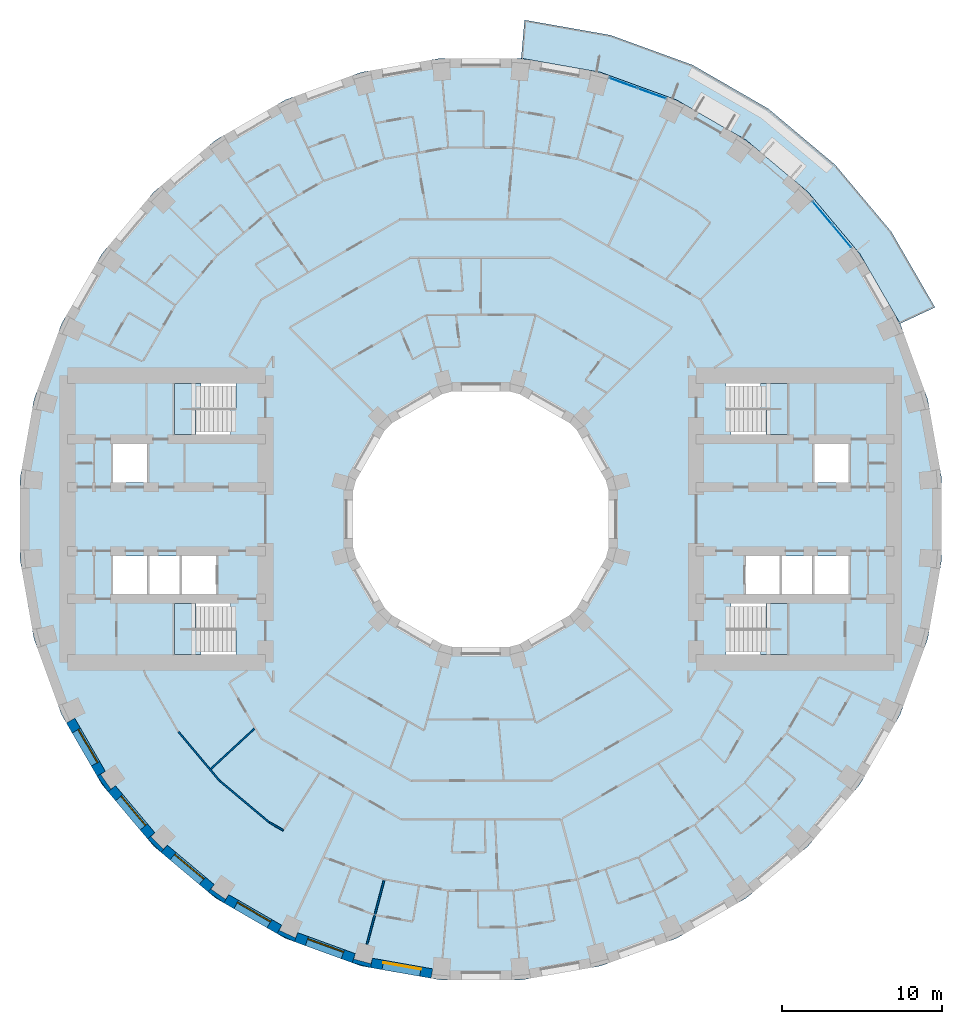
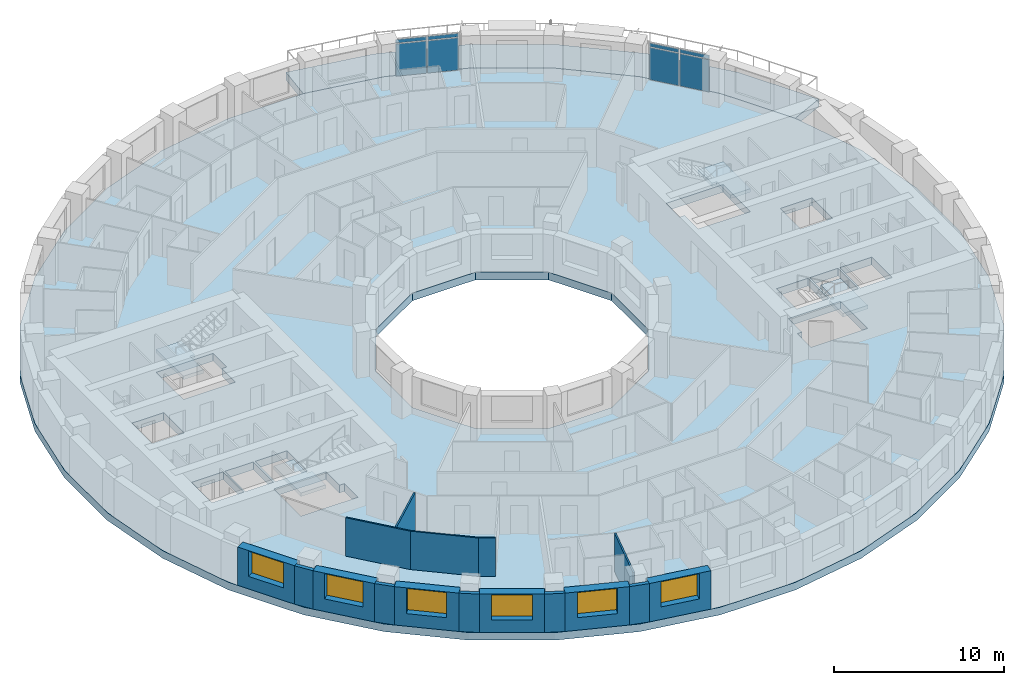
# One storey, part 3 of 15: 16 walls, 8 plates, 6 slabs, 6 windows, 6 openings, 6 elements without a shape of their own.
"""IFC4 building model written with IfcOpenShell, lengths in metres."""

from ifc_helpers import new_model, si_unit, direction, frame, frame_2d, origin, origin_2d, place, context, subcontext, project, spatial, polyline, rectangle, outline, extrude, material, layer, layer_set, type_object, element, fill, aggregate, save


model = new_model("IFC4")

# Units and contexts
model_context = context("Model", 3, precision=1e-05, world=origin(), true_north=direction((0.0, 1.0)))
body_context = subcontext(model_context, "Body", "Model", "MODEL_VIEW")
ifc_project = project(units=[si_unit("LENGTHUNIT", "METRE"), si_unit("AREAUNIT", "SQUARE_METRE"), si_unit("VOLUMEUNIT", "CUBIC_METRE"), si_unit("PLANEANGLEUNIT", "RADIAN"), si_unit("MASSUNIT", "GRAM", prefix="KILO")], contexts=[model_context])

# Site, building, storey
site_placement = place(None, origin())
site = spatial("IfcSite", under=ifc_project, at=site_placement, CompositionType="ELEMENT")
building_placement = place(site_placement, origin())
building = spatial("IfcBuilding", under=site, at=building_placement, Name="Saqina Gate Tower", CompositionType="ELEMENT")
storey_placement = place(building_placement, frame((0.0, 0.0, 65.89990234375)))
storey = spatial("IfcBuildingStorey", under=building, at=storey_placement, Name="L18", CompositionType="ELEMENT", Elevation=65.89990234375)

# Curtain wall, plates
ifc_material_1 = material(Name="Aluminium glazing", Category="aluminium")
ifc_layer_1 = layer(ifc_material_1, 0.159912109375)
ifc_layer_set_1 = layer_set([ifc_layer_1], Name="CWT-4")
curtain_wall_type = type_object("IfcCurtainWallType", Name="CWT-4", PredefinedType="NOTDEFINED", material=ifc_layer_set_1)
curtain_wall_1_placement = place(storey_placement, origin())
curtain_wall_1 = element("IfcCurtainWall", 1, at=curtain_wall_1_placement, inside=storey, type_object=curtain_wall_type, Name="Terrace lounge glazing facet 4", PredefinedType="NOTDEFINED")
ifc_material_2 = material(Name="Glass", Category="glass")
ifc_layer_2 = layer(ifc_material_2, 0.028076171875)
ifc_layer_set_2 = layer_set([ifc_layer_2], Name="CWT-4P")
plate_type = type_object("IfcPlateType", Name="CWT-4P", PredefinedType="CURTAIN_PANEL", material=ifc_layer_set_2)
plate_1_placement = place(storey_placement, frame((22.624267578125, 17.74853515625, 0.06005859375), z_axis=(0.0, 0.0, 1.0), x_axis=(-0.642791970033, 0.766040784332, 0.0)))
plate_1 = element("IfcPlate", 2, at=plate_1_placement, type_object=plate_type, Name="CW4-04 panel 1.1", PredefinedType="CURTAIN_PANEL", context=body_context, shape_type="SweptSolid", body=[
    extrude(rectangle(XDim=1.8330078125, YDim=0.028076171875, at=origin_2d()), origin(), (0.0, 0.0, 1.0), 2.31005859375),
])
plate_2_placement = place(storey_placement, frame((22.624267578125, 17.74853515625, 2.43017578125), z_axis=(0.0, 0.0, 1.0), x_axis=(-0.642791970033, 0.766040784332, 0.0)))
plate_2 = element("IfcPlate", 3, at=plate_2_placement, type_object=plate_type, Name="CW4-04 panel 1.2", PredefinedType="CURTAIN_PANEL", context=body_context, shape_type="SweptSolid", body=[
    extrude(rectangle(XDim=1.8330078125, YDim=0.028076171875, at=origin_2d()), origin(), (0.0, 0.0, 1.0), 0.260009765625),
])
plate_3_placement = place(storey_placement, frame((21.407470703125, 19.198486328125, 0.06005859375), z_axis=(0.0, 0.0, 1.0), x_axis=(-0.642791970033, 0.766040784332, 0.0)))
plate_3 = element("IfcPlate", 4, at=plate_3_placement, type_object=plate_type, Name="CW4-04 panel 2.1", PredefinedType="CURTAIN_PANEL", context=body_context, shape_type="SweptSolid", body=[
    extrude(rectangle(XDim=1.8330078125, YDim=0.028076171875, at=origin_2d()), origin(), (0.0, 0.0, 1.0), 2.31005859375),
])
plate_4_placement = place(storey_placement, frame((21.407470703125, 19.198486328125, 2.43017578125), z_axis=(0.0, 0.0, 1.0), x_axis=(-0.642791970033, 0.766040784332, 0.0)))
plate_4 = element("IfcPlate", 5, at=plate_4_placement, type_object=plate_type, Name="CW4-04 panel 2.2", PredefinedType="CURTAIN_PANEL", context=body_context, shape_type="SweptSolid", body=[
    extrude(rectangle(XDim=1.8330078125, YDim=0.028076171875, at=origin_2d()), origin(), (0.0, 0.0, 1.0), 0.260009765625),
])
aggregate(curtain_wall_1, [plate_1, plate_2, plate_3, plate_4])

curtain_wall_2_placement = place(storey_placement, origin())
curtain_wall_2 = element("IfcCurtainWall", 6, at=curtain_wall_2_placement, inside=storey, type_object=curtain_wall_type, Name="Terrace lounge glazing facet 7", PredefinedType="NOTDEFINED")
plate_5_placement = place(storey_placement, frame((10.718994140625, 26.682861328125, 0.06005859375), z_axis=(0.0, 0.0, 1.0), x_axis=(-0.939696968811, 0.34200819699, 0.0)))
plate_5 = element("IfcPlate", 7, at=plate_5_placement, type_object=plate_type, Name="CW4-07 panel 1.1", PredefinedType="CURTAIN_PANEL", context=body_context, shape_type="SweptSolid", body=[
    extrude(rectangle(XDim=1.8330078125, YDim=0.028076171875, at=origin_2d()), origin(), (0.0, 0.0, 1.0), 2.31005859375),
])
plate_6_placement = place(storey_placement, frame((10.718994140625, 26.682861328125, 2.43017578125), z_axis=(0.0, 0.0, 1.0), x_axis=(-0.939696968811, 0.34200819699, 0.0)))
plate_6 = element("IfcPlate", 8, at=plate_6_placement, type_object=plate_type, Name="CW4-07 panel 1.2", PredefinedType="CURTAIN_PANEL", context=body_context, shape_type="SweptSolid", body=[
    extrude(rectangle(XDim=1.8330078125, YDim=0.028076171875, at=origin_2d()), origin(), (0.0, 0.0, 1.0), 0.260009765625),
])
plate_7_placement = place(storey_placement, frame((8.940185546875, 27.330078125, 0.06005859375), z_axis=(0.0, 0.0, 1.0), x_axis=(-0.939696968811, 0.34200819699, 0.0)))
plate_7 = element("IfcPlate", 9, at=plate_7_placement, type_object=plate_type, Name="CW4-07 panel 2.1", PredefinedType="CURTAIN_PANEL", context=body_context, shape_type="SweptSolid", body=[
    extrude(rectangle(XDim=1.8330078125, YDim=0.028076171875, at=origin_2d()), origin(), (0.0, 0.0, 1.0), 2.31005859375),
])
plate_8_placement = place(storey_placement, frame((8.940185546875, 27.330078125, 2.43017578125), z_axis=(0.0, 0.0, 1.0), x_axis=(-0.939696968811, 0.34200819699, 0.0)))
plate_8 = element("IfcPlate", 10, at=plate_8_placement, type_object=plate_type, Name="CW4-07 panel 2.2", PredefinedType="CURTAIN_PANEL", context=body_context, shape_type="SweptSolid", body=[
    extrude(rectangle(XDim=1.8330078125, YDim=0.028076171875, at=origin_2d()), origin(), (0.0, 0.0, 1.0), 0.260009765625),
])
aggregate(curtain_wall_2, [plate_5, plate_6, plate_7, plate_8])

# Stair, slab
ifc_material_3 = material(Name="Concrete C40/50", Category="concrete")
stair_type = type_object("IfcStairType", Name="EXIT STAIR", PredefinedType="HALF_TURN_STAIR", material=ifc_material_3)
stair_1_placement = place(storey_placement, origin())
stair_1 = element("IfcStair", 11, at=stair_1_placement, inside=storey, type_object=stair_type, Name="EXIT STAIR 1", PredefinedType="HALF_TURN_STAIR")
ifc_material_4 = material(Name="Concrete C40/50", Category="concrete")
ifc_layer_3 = layer(ifc_material_4, 0.25)
ifc_layer_set_3 = layer_set([ifc_layer_3], Name="Concrete C40/50")
slab_type_1 = type_object("IfcSlabType", Name="EXIT STAIR LANDING", PredefinedType="LANDING", material=ifc_layer_set_3)
slab_1_placement = place(storey_placement, frame((0.0, 0.0, 1.400146484375)))
slab_1 = element("IfcSlab", 12, at=slab_1_placement, type_object=slab_type_1, Name="EXIT STAIR 1 LANDING 1", PredefinedType="LANDING", context=body_context, shape_type="SweptSolid", body=[
    extrude(outline(polyline([(19.219970703125, 8.5), (19.219970703125, 5.300048828125), (17.864990234375, 5.300048828125), (17.864990234375, 6.89990234375), (17.534423828125, 6.89990234375), (17.534423828125, 8.5), (17.864990234375, 8.5), (17.8701171875, 8.5), (19.219970703125, 8.5)])), origin(), (0.0, 0.0, 1.0), 0.25),
])
aggregate(stair_1, [slab_1])

stair_2_placement = place(storey_placement, origin())
stair_2 = element("IfcStair", 13, at=stair_2_placement, inside=storey, type_object=stair_type, Name="EXIT STAIR 2", PredefinedType="HALF_TURN_STAIR")
slab_2_placement = place(storey_placement, frame((0.0, 0.0, 1.400146484375)))
slab_2 = element("IfcSlab", 14, at=slab_2_placement, type_object=slab_type_1, Name="EXIT STAIR 2 LANDING 1", PredefinedType="LANDING", context=body_context, shape_type="SweptSolid", body=[
    extrude(outline(polyline([(17.534423828125, -8.5), (17.534423828125, -6.89990234375), (17.864990234375, -6.89990234375), (17.864990234375, -5.300048828125), (19.219970703125, -5.300048828125), (19.219970703125, -8.5), (17.8701171875, -8.5), (17.864990234375, -8.5), (17.534423828125, -8.5)])), origin(), (0.0, 0.0, 1.0), 0.25),
])
aggregate(stair_2, [slab_2])

stair_3_placement = place(storey_placement, origin())
stair_3 = element("IfcStair", 15, at=stair_3_placement, inside=storey, type_object=stair_type, Name="EXIT STAIR 3", PredefinedType="HALF_TURN_STAIR")
slab_3_placement = place(storey_placement, frame((0.0, 0.0, 1.400146484375)))
slab_3 = element("IfcSlab", 16, at=slab_3_placement, type_object=slab_type_1, Name="EXIT STAIR 3 LANDING 1", PredefinedType="LANDING", context=body_context, shape_type="SweptSolid", body=[
    extrude(outline(polyline([(-17.864990234375, 5.300048828125), (-19.219970703125, 5.300048828125), (-19.219970703125, 8.5), (-17.8701171875, 8.5), (-17.864990234375, 8.5), (-17.534423828125, 8.5), (-17.534423828125, 6.89990234375), (-17.864990234375, 6.89990234375), (-17.864990234375, 5.300048828125)])), origin(), (0.0, 0.0, 1.0), 0.25),
])
aggregate(stair_3, [slab_3])

stair_4_placement = place(storey_placement, origin())
stair_4 = element("IfcStair", 17, at=stair_4_placement, inside=storey, type_object=stair_type, Name="EXIT STAIR 4", PredefinedType="HALF_TURN_STAIR")
slab_4_placement = place(storey_placement, frame((0.0, 0.0, 1.400146484375)))
slab_4 = element("IfcSlab", 18, at=slab_4_placement, type_object=slab_type_1, Name="EXIT STAIR 4 LANDING 1", PredefinedType="LANDING", context=body_context, shape_type="SweptSolid", body=[
    extrude(outline(polyline([(-17.534423828125, -6.89990234375), (-17.534423828125, -8.5), (-17.864990234375, -8.5), (-17.8701171875, -8.5), (-19.219970703125, -8.5), (-19.219970703125, -5.300048828125), (-17.864990234375, -5.300048828125), (-17.864990234375, -6.89990234375), (-17.534423828125, -6.89990234375)])), origin(), (0.0, 0.0, 1.0), 0.25),
])
aggregate(stair_4, [slab_4])

# Slabs
ifc_material_5 = material(Name="Concrete C40/50", Category="concrete")
ifc_layer_4 = layer(ifc_material_5, 0.550048828125)
ifc_layer_set_4 = layer_set([ifc_layer_4], Name="Concrete C40/50")
slab_type_2 = type_object("IfcSlabType", Name="STR-POST-TENSIONED FLAT PLATE FLOOR-550", PredefinedType="FLOOR", material=ifc_layer_set_4)
slab_5_placement = place(storey_placement, frame((0.0, 0.0, -0.5498046875)))
element("IfcSlab", 19, at=slab_5_placement, inside=storey, type_object=slab_type_2, Name="L18-SLB01", PredefinedType="FLOOR", context=body_context, shape_type="SweptSolid", body=[
    extrude(outline(polyline([(28.011962890625, -7.505859375), (28.8896484375, -2.527587890625), (28.8896484375, 2.527587890625), (28.011962890625, 7.505859375), (26.282958984375, 12.255859375), (23.75537109375, 16.6337890625), (20.506103515625, 20.506103515625), (16.6337890625, 23.75537109375), (12.255859375, 26.282958984375), (7.505859375, 28.011962890625), (2.527587890625, 28.8896484375), (-2.527587890625, 28.8896484375), (-7.505859375, 28.011962890625), (-12.255859375, 26.282958984375), (-16.6337890625, 23.75537109375), (-20.506103515625, 20.506103515625), (-23.75537109375, 16.6337890625), (-26.282958984375, 12.255859375), (-28.011962890625, 7.505859375), (-28.8896484375, 2.527587890625), (-28.8896484375, -2.527587890625), (-28.011962890625, -7.505859375), (-26.282958984375, -12.255859375), (-23.75537109375, -16.6337890625), (-20.506103515625, -20.506103515625), (-16.6337890625, -23.75537109375), (-12.255859375, -26.282958984375), (-7.505859375, -28.011962890625), (-2.527587890625, -28.8896484375), (2.527587890625, -28.8896484375), (7.505859375, -28.011962890625), (12.255859375, -26.282958984375), (16.6337890625, -23.75537109375), (20.506103515625, -20.506103515625), (23.75537109375, -16.6337890625), (26.282958984375, -12.255859375), (28.011962890625, -7.505859375)]), holes=[polyline([(2.1435546875, 8.0), (5.8564453125, 5.8564453125), (8.0, 2.1435546875), (8.0, -2.1435546875), (5.8564453125, -5.8564453125), (2.1435546875, -8.0), (-2.1435546875, -8.0), (-5.8564453125, -5.8564453125), (-8.0, -2.1435546875), (-8.0, 2.1435546875), (-5.8564453125, 5.8564453125), (-2.1435546875, 8.0), (2.1435546875, 8.0)]), polyline([(-19.219970703125, -8.5), (-19.219970703125, -6.89990234375), (-19.219970703125, -5.300048828125), (-15.685546875, -5.300048828125), (-15.685546875, -6.89990234375), (-15.35498046875, -6.89990234375), (-15.35498046875, -8.5), (-19.219970703125, -8.5)]), polyline([(-20.89990234375, -2.300048828125), (-20.89990234375, -4.699951171875), (-23.06005859375, -4.699951171875), (-23.06005859375, -2.300048828125), (-20.89990234375, -2.300048828125)]), polyline([(-18.8701171875, -2.300048828125), (-18.8701171875, -4.699951171875), (-20.780029296875, -4.699951171875), (-20.780029296875, -2.300048828125), (-18.8701171875, -2.300048828125)]), polyline([(-16.590087890625, -2.300048828125), (-16.590087890625, -4.699951171875), (-18.75, -4.699951171875), (-18.75, -2.300048828125), (-16.590087890625, -2.300048828125)]), polyline([(-20.89990234375, 4.699951171875), (-20.89990234375, 2.300048828125), (-23.06005859375, 2.300048828125), (-23.06005859375, 4.699951171875), (-20.89990234375, 4.699951171875)]), polyline([(-19.219970703125, 6.89990234375), (-19.219970703125, 8.5), (-15.35498046875, 8.5), (-15.35498046875, 6.89990234375), (-15.685546875, 6.89990234375), (-15.685546875, 5.300048828125), (-19.219970703125, 5.300048828125), (-19.219970703125, 6.89990234375)]), polyline([(15.35498046875, -6.89990234375), (15.685546875, -6.89990234375), (15.685546875, -5.300048828125), (19.219970703125, -5.300048828125), (19.219970703125, -6.89990234375), (19.219970703125, -8.5), (15.35498046875, -8.5), (15.35498046875, -6.89990234375)]), polyline([(18.75, -2.300048828125), (18.75, -4.699951171875), (16.590087890625, -4.699951171875), (16.590087890625, -2.300048828125), (18.75, -2.300048828125)]), polyline([(20.780029296875, -2.300048828125), (20.780029296875, -4.699951171875), (18.8701171875, -4.699951171875), (18.8701171875, -2.300048828125), (20.780029296875, -2.300048828125)]), polyline([(23.06005859375, -2.300048828125), (23.06005859375, -4.699951171875), (20.89990234375, -4.699951171875), (20.89990234375, -2.300048828125), (23.06005859375, -2.300048828125)]), polyline([(23.06005859375, 4.699951171875), (23.06005859375, 2.300048828125), (20.89990234375, 2.300048828125), (20.89990234375, 4.699951171875), (23.06005859375, 4.699951171875)]), polyline([(15.685546875, 6.89990234375), (15.35498046875, 6.89990234375), (15.35498046875, 8.5), (19.219970703125, 8.5), (19.219970703125, 6.89990234375), (19.219970703125, 5.300048828125), (15.685546875, 5.300048828125), (15.685546875, 6.89990234375)])]), origin(), (0.0, 0.0, 1.0), 0.5498046875),
])
ifc_material_6 = material(Name="Concrete C40/50", Category="concrete")
ifc_layer_5 = layer(ifc_material_6, 0.550048828125)
ifc_layer_set_5 = layer_set([ifc_layer_5], Name="Concrete C40/50")
slab_type_3 = type_object("IfcSlabType", Name="STR-POST-TENSIONED FLAT PLATE TERRACE-550", PredefinedType="FLOOR", material=ifc_layer_set_5)
slab_6_placement = place(storey_placement, frame((0.0, 0.0, -0.5498046875)))
element("IfcSlab", 20, at=slab_6_placement, inside=storey, type_object=slab_type_3, Name="L18-TRS01", PredefinedType="FLOOR", context=body_context, shape_type="SweptSolid", body=[
    extrude(outline(polyline([(26.282958984375, 12.255859375), (23.75537109375, 16.6337890625), (20.506103515625, 20.506103515625), (16.6337890625, 23.75537109375), (12.255859375, 26.282958984375), (7.505859375, 28.011962890625), (2.527587890625, 28.8896484375), (2.737548828125, 31.28955078125), (8.12939453125, 30.3388671875), (13.274169921875, 28.46630859375), (18.015625, 25.72900390625), (22.209716796875, 22.209716796875), (25.72900390625, 18.015625), (28.46630859375, 13.274169921875), (26.282958984375, 12.255859375)])), origin(), (0.0, 0.0, 1.0), 0.5498046875),
])

# Walls
ifc_material_7 = material(Name="Brick masonry (red)", Category="masonry")
wall_type_1 = type_object("IfcWallType", Name="BRICK PIER COPING RED", PredefinedType="SOLIDWALL", material=ifc_material_7)
wall_1_placement = place(storey_placement, origin())
element("IfcWall", 21, at=wall_1_placement, inside=storey, type_object=wall_type_1, Name="Pier cap L18 column 22", PredefinedType="SOLIDWALL", context=body_context, shape_type="SweptSolid", body=[
    extrude(outline(polyline([(-24.0576171875, -16.110107421875), (-23.36669921875, -17.096923828125), (-22.9072265625, -16.711181640625), (-23.194091796875, -16.912109375), (-23.8251953125, -16.010986328125), (-23.5380859375, -15.81005859375), (-24.0576171875, -16.110107421875)])), origin(), (0.0, 0.0, 1.0), 2.75),
])
wall_2_placement = place(storey_placement, origin())
element("IfcWall", 22, at=wall_2_placement, inside=storey, type_object=wall_type_1, Name="Pier cap L18 column 23", PredefinedType="SOLIDWALL", context=body_context, shape_type="SweptSolid", body=[
    extrude(outline(polyline([(-20.04296875, -20.894775390625), (-19.6572265625, -20.43505859375), (-19.905029296875, -20.682861328125), (-20.682861328125, -19.905029296875), (-20.43505859375, -19.6572265625), (-20.894775390625, -20.04296875), (-20.04296875, -20.894775390625)])), origin(), (0.0, 0.0, 1.0), 2.75),
])
wall_3_placement = place(storey_placement, origin())
element("IfcWall", 23, at=wall_3_placement, inside=storey, type_object=wall_type_1, Name="Pier cap L18 column 24", PredefinedType="SOLIDWALL", context=body_context, shape_type="SweptSolid", body=[
    extrude(outline(polyline([(-17.096923828125, -23.36669921875), (-16.110107421875, -24.0576171875), (-15.81005859375, -23.5380859375), (-16.010986328125, -23.8251953125), (-16.912109375, -23.194091796875), (-16.711181640625, -22.9072265625), (-17.096923828125, -23.36669921875)])), origin(), (0.0, 0.0, 1.0), 2.75),
])
wall_4_placement = place(storey_placement, origin())
element("IfcWall", 24, at=wall_4_placement, inside=storey, type_object=wall_type_1, Name="Pier cap L18 column 25", PredefinedType="SOLIDWALL", context=body_context, shape_type="SweptSolid", body=[
    extrude(outline(polyline([(-11.687744140625, -26.48974609375), (-11.482666015625, -25.92578125), (-11.630615234375, -26.243408203125), (-12.627685546875, -25.778564453125), (-12.4794921875, -25.4609375), (-12.779541015625, -25.980712890625), (-11.687744140625, -26.48974609375)])), origin(), (0.0, 0.0, 1.0), 2.75),
])
wall_5_placement = place(storey_placement, origin())
element("IfcWall", 25, at=wall_5_placement, inside=storey, type_object=wall_type_1, Name="Pier cap L18 column 26", PredefinedType="SOLIDWALL", context=body_context, shape_type="SweptSolid", body=[
    extrude(outline(polyline([(-6.910400390625, -28.11669921875), (-6.80615234375, -27.52587890625), (-6.896728515625, -27.864501953125), (-7.95947265625, -27.57958984375), (-7.86865234375, -27.2412109375), (-8.073974609375, -27.80517578125), (-6.910400390625, -28.11669921875)])), origin(), (0.0, 0.0, 1.0), 2.75),
])

# Wall, opening, window
ifc_material_8 = material(Name="Brick masonry (red)", Category="masonry")
ifc_layer_6 = layer(ifc_material_8, 0.60009765625)
ifc_layer_set_6 = layer_set([ifc_layer_6], Name="FW-BRICK-RED")
wall_type_2 = type_object("IfcWallType", Name="FW-BRICK-RED", PredefinedType="SOLIDWALL", material=ifc_layer_set_6)
wall_6_placement = place(storey_placement, frame((-25.720703125, -12.629638671875, 0.0), z_axis=(0.0, 0.0, 1.0), x_axis=(0.499989888488, -0.86603124159, 0.0)))
wall_6 = element("IfcWall", 26, at=wall_6_placement, inside=storey, type_object=wall_type_2, Name="Facade wall L18 facet 21", PredefinedType="SOLIDWALL", context=body_context, shape_type="SweptSolid", body=[
    extrude(rectangle(XDim=3.845703125, YDim=0.60009765625, at=frame_2d((1.9228515625, 0.0))), origin(), (0.0, 0.0, 1.0), 2.75),
])
opening_1_placement = place(wall_6_placement, frame((0.722900390625, 0.0, 0.89990234375)))
opening_1 = element("IfcOpeningElement", 27, at=opening_1_placement, cuts=wall_6, Name="Opening G05-W10", PredefinedType="OPENING", context=body_context, shape_type="SweptSolid", body=[
    extrude(rectangle(XDim=2.39990234375, YDim=1.800048828125, at=frame_2d((1.199951171875, 0.89990234375))), frame((0.0, 0.31201171875, 0.0), z_axis=(0.0, -1.0, 0.0), x_axis=(1.0, 0.0, 0.0)), (0.0, 0.0, 1.0), 0.6240234375),
])
ifc_material_9 = material(Name="Aluminium glazing", Category="aluminium")
window_type = type_object("IfcWindowType", Name="WN-A", PartitioningType="SINGLE_PANEL", PredefinedType="WINDOW", material=ifc_material_9)
window_1_placement = place(opening_1_placement, origin())
window_1 = element("IfcWindow", 28, at=window_1_placement, inside=storey, type_object=window_type, Name="Window L18 facet 21", OverallHeight=1.800048828125, OverallWidth=2.39990234375, PartitioningType="SINGLE_PANEL", PredefinedType="WINDOW", context=body_context, shape_type="SweptSolid", body=[
    extrude(rectangle(XDim=2.39990234375, YDim=1.800048828125, at=frame_2d((1.199951171875, 0.89990234375))), frame((0.0, 0.179931640625, 0.0), z_axis=(0.0, -1.0, 0.0), x_axis=(1.0, 0.0, 0.0)), (0.0, 0.0, 1.0), 0.06005859375),
])
fill(opening_1, window_1)

wall_7_placement = place(storey_placement, frame((-23.136962890625, -16.904052734375, 0.0), z_axis=(0.0, 0.0, 1.0), x_axis=(0.642809392687, -0.766026164483, 0.0)))
wall_7 = element("IfcWall", 29, at=wall_7_placement, inside=storey, type_object=wall_type_2, Name="Facade wall L18 facet 22", PredefinedType="SOLIDWALL", context=body_context, shape_type="SweptSolid", body=[
    extrude(rectangle(XDim=3.845947265625, YDim=0.60009765625, at=frame_2d((1.9228515625, 0.0))), origin(), (0.0, 0.0, 1.0), 2.75),
])
opening_2_placement = place(wall_7_placement, frame((0.722900390625, 0.0, 0.89990234375)))
opening_2 = element("IfcOpeningElement", 30, at=opening_2_placement, cuts=wall_7, Name="Opening G05-W11", PredefinedType="OPENING", context=body_context, shape_type="SweptSolid", body=[
    extrude(rectangle(XDim=2.39990234375, YDim=1.800048828125, at=frame_2d((1.199951171875, 0.89990234375))), frame((0.0, 0.31201171875, 0.0), z_axis=(0.0, -1.0, 0.0), x_axis=(1.0, 0.0, 0.0)), (0.0, 0.0, 1.0), 0.6240234375),
])
window_2_placement = place(opening_2_placement, origin())
window_2 = element("IfcWindow", 31, at=window_2_placement, inside=storey, type_object=window_type, Name="Window L18 facet 22", OverallHeight=1.800048828125, OverallWidth=2.39990234375, PartitioningType="SINGLE_PANEL", PredefinedType="WINDOW", context=body_context, shape_type="SweptSolid", body=[
    extrude(rectangle(XDim=2.39990234375, YDim=1.800048828125, at=frame_2d((1.199951171875, 0.89990234375))), frame((0.0, 0.179931640625, 0.0), z_axis=(0.0, -1.0, 0.0), x_axis=(1.0, 0.0, 0.0)), (0.0, 0.0, 1.0), 0.06005859375),
])
fill(opening_2, window_2)

wall_8_placement = place(storey_placement, frame((-19.85009765625, -20.664794921875, 0.0), z_axis=(0.0, 0.0, 1.0), x_axis=(0.766026164483, -0.642809392687, 0.0)))
wall_8 = element("IfcWall", 32, at=wall_8_placement, inside=storey, type_object=wall_type_2, Name="Facade wall L18 facet 23", PredefinedType="SOLIDWALL", context=body_context, shape_type="SweptSolid", body=[
    extrude(rectangle(XDim=3.845947265625, YDim=0.60009765625, at=frame_2d((1.9228515625, 0.0))), origin(), (0.0, 0.0, 1.0), 2.75),
])
opening_3_placement = place(wall_8_placement, frame((0.722900390625, 0.0, 0.89990234375)))
opening_3 = element("IfcOpeningElement", 33, at=opening_3_placement, cuts=wall_8, Name="Opening G05-W12", PredefinedType="OPENING", context=body_context, shape_type="SweptSolid", body=[
    extrude(rectangle(XDim=2.39990234375, YDim=1.800048828125, at=frame_2d((1.199951171875, 0.89990234375))), frame((0.0, 0.31201171875, 0.0), z_axis=(0.0, -1.0, 0.0), x_axis=(1.0, 0.0, 0.0)), (0.0, 0.0, 1.0), 0.6240234375),
])
window_3_placement = place(opening_3_placement, origin())
window_3 = element("IfcWindow", 34, at=window_3_placement, inside=storey, type_object=window_type, Name="Window L18 facet 23", OverallHeight=1.800048828125, OverallWidth=2.39990234375, PartitioningType="SINGLE_PANEL", PredefinedType="WINDOW", context=body_context, shape_type="SweptSolid", body=[
    extrude(rectangle(XDim=2.39990234375, YDim=1.800048828125, at=frame_2d((1.199951171875, 0.89990234375))), frame((0.0, 0.179931640625, 0.0), z_axis=(0.0, -1.0, 0.0), x_axis=(1.0, 0.0, 0.0)), (0.0, 0.0, 1.0), 0.06005859375),
])
fill(opening_3, window_3)

wall_9_placement = place(storey_placement, frame((-15.960205078125, -23.7978515625, 0.0), z_axis=(0.0, 0.0, 1.0), x_axis=(0.86603124159, -0.499989888488, 0.0)))
wall_9 = element("IfcWall", 35, at=wall_9_placement, inside=storey, type_object=wall_type_2, Name="Facade wall L18 facet 24", PredefinedType="SOLIDWALL", context=body_context, shape_type="SweptSolid", body=[
    extrude(rectangle(XDim=3.845703125, YDim=0.60009765625, at=frame_2d((1.9228515625, 0.0))), origin(), (0.0, 0.0, 1.0), 2.75),
])
opening_4_placement = place(wall_9_placement, frame((0.722900390625, 0.0, 0.89990234375)))
opening_4 = element("IfcOpeningElement", 36, at=opening_4_placement, cuts=wall_9, Name="Opening G05-W13", PredefinedType="OPENING", context=body_context, shape_type="SweptSolid", body=[
    extrude(rectangle(XDim=2.39990234375, YDim=1.800048828125, at=frame_2d((1.199951171875, 0.89990234375))), frame((0.0, 0.31201171875, 0.0), z_axis=(0.0, -1.0, 0.0), x_axis=(1.0, 0.0, 0.0)), (0.0, 0.0, 1.0), 0.6240234375),
])
window_4_placement = place(opening_4_placement, origin())
window_4 = element("IfcWindow", 37, at=window_4_placement, inside=storey, type_object=window_type, Name="Window L18 facet 24", OverallHeight=1.800048828125, OverallWidth=2.39990234375, PartitioningType="SINGLE_PANEL", PredefinedType="WINDOW", context=body_context, shape_type="SweptSolid", body=[
    extrude(rectangle(XDim=2.39990234375, YDim=1.800048828125, at=frame_2d((1.199951171875, 0.89990234375))), frame((0.0, 0.179931640625, 0.0), z_axis=(0.0, -1.0, 0.0), x_axis=(1.0, 0.0, 0.0)), (0.0, 0.0, 1.0), 0.06005859375),
])
fill(opening_4, window_4)

wall_10_placement = place(storey_placement, frame((-11.585205078125, -26.207763671875, 0.0), z_axis=(0.0, 0.0, 1.0), x_axis=(0.939689588564, -0.342028474173, 0.0)))
wall_10 = element("IfcWall", 38, at=wall_10_placement, inside=storey, type_object=wall_type_2, Name="Facade wall L18 facet 25", PredefinedType="SOLIDWALL", context=body_context, shape_type="SweptSolid", body=[
    extrude(rectangle(XDim=3.845947265625, YDim=0.60009765625, at=frame_2d((1.9228515625, 0.0))), origin(), (0.0, 0.0, 1.0), 2.75),
])
opening_5_placement = place(wall_10_placement, frame((0.722900390625, 0.0, 0.89990234375)))
opening_5 = element("IfcOpeningElement", 39, at=opening_5_placement, cuts=wall_10, Name="Opening G05-W14", PredefinedType="OPENING", context=body_context, shape_type="SweptSolid", body=[
    extrude(rectangle(XDim=2.39990234375, YDim=1.800048828125, at=frame_2d((1.199951171875, 0.89990234375))), frame((0.0, 0.31201171875, 0.0), z_axis=(0.0, -1.0, 0.0), x_axis=(1.0, 0.0, 0.0)), (0.0, 0.0, 1.0), 0.6240234375),
])
window_5_placement = place(opening_5_placement, origin())
window_5 = element("IfcWindow", 40, at=window_5_placement, inside=storey, type_object=window_type, Name="Window L18 facet 25", OverallHeight=1.800048828125, OverallWidth=2.39990234375, PartitioningType="SINGLE_PANEL", PredefinedType="WINDOW", context=body_context, shape_type="SweptSolid", body=[
    extrude(rectangle(XDim=2.39990234375, YDim=1.800048828125, at=frame_2d((1.199951171875, 0.89990234375))), frame((0.0, 0.179931640625, 0.0), z_axis=(0.0, -1.0, 0.0), x_axis=(1.0, 0.0, 0.0)), (0.0, 0.0, 1.0), 0.06005859375),
])
fill(opening_5, window_5)

wall_11_placement = place(storey_placement, frame((-6.858154296875, -27.8212890625, 0.0), z_axis=(0.0, 0.0, 1.0), x_axis=(0.984800809218, -0.173687553279, 0.0)))
wall_11 = element("IfcWall", 41, at=wall_11_placement, inside=storey, type_object=wall_type_2, Name="Facade wall L18 facet 26", PredefinedType="SOLIDWALL", context=body_context, shape_type="SweptSolid", body=[
    extrude(rectangle(XDim=3.845703125, YDim=0.60009765625, at=frame_2d((1.9228515625, 0.0))), origin(), (0.0, 0.0, 1.0), 2.75),
])
opening_6_placement = place(wall_11_placement, frame((0.722900390625, 0.0, 0.89990234375)))
opening_6 = element("IfcOpeningElement", 42, at=opening_6_placement, cuts=wall_11, Name="Opening G05-W15", PredefinedType="OPENING", context=body_context, shape_type="SweptSolid", body=[
    extrude(rectangle(XDim=2.39990234375, YDim=1.800048828125, at=frame_2d((1.199951171875, 0.89990234375))), frame((0.0, 0.31201171875, 0.0), z_axis=(0.0, -1.0, 0.0), x_axis=(1.0, 0.0, 0.0)), (0.0, 0.0, 1.0), 0.6240234375),
])
window_6_placement = place(opening_6_placement, origin())
window_6 = element("IfcWindow", 43, at=window_6_placement, inside=storey, type_object=window_type, Name="Window L18 facet 26", OverallHeight=1.800048828125, OverallWidth=2.39990234375, PartitioningType="SINGLE_PANEL", PredefinedType="WINDOW", context=body_context, shape_type="SweptSolid", body=[
    extrude(rectangle(XDim=2.39990234375, YDim=1.800048828125, at=frame_2d((1.199951171875, 0.89990234375))), frame((0.0, 0.179931640625, 0.0), z_axis=(0.0, -1.0, 0.0), x_axis=(1.0, 0.0, 0.0)), (0.0, 0.0, 1.0), 0.06005859375),
])
fill(opening_6, window_6)

# Walls
ifc_material_10 = material(Name="Gypsum board on steel studs, 100 mm", Category="steel")
ifc_layer_7 = layer(ifc_material_10, 0.10009765625)
ifc_layer_set_7 = layer_set([ifc_layer_7], Name="PARTITION 100")
wall_type_3 = type_object("IfcWallType", Name="PARTITION 100", PredefinedType="PARTITIONING", material=ifc_layer_set_7)
wall_12_placement = place(storey_placement, frame((-18.953857421875, -13.332275390625, 0.0), z_axis=(0.0, 0.0, 1.0), x_axis=(0.642759837919, -0.766067745541, 0.0)))
element("IfcWall", 44, at=wall_12_placement, inside=storey, type_object=wall_type_3, Name="PARTITION PW3-29", PredefinedType="PARTITIONING", context=body_context, shape_type="SweptSolid", body=[
    extrude(rectangle(XDim=4.041015625, YDim=0.10009765625, at=frame_2d((2.0205078125, 0.0))), origin(), (0.0, 0.0, 1.0), 2.75),
])
wall_13_placement = place(storey_placement, frame((-16.3505859375, -16.421142578125, 0.0), z_axis=(0.0, 0.0, 1.0), x_axis=(0.766042783762, -0.642789587226, 0.0)))
element("IfcWall", 45, at=wall_13_placement, inside=storey, type_object=wall_type_3, Name="PARTITION PW3-36", PredefinedType="PARTITIONING", context=body_context, shape_type="SweptSolid", body=[
    extrude(rectangle(XDim=4.040771484375, YDim=0.10009765625, at=frame_2d((2.0205078125, 0.0))), origin(), (0.0, 0.0, 1.0), 2.75),
])
wall_14_placement = place(storey_placement, frame((-13.250732421875, -19.010986328125, 0.0), z_axis=(0.0, 0.0, 1.0), x_axis=(0.866063163075, -0.499934593286, 0.0)))
element("IfcWall", 46, at=wall_14_placement, inside=storey, type_object=wall_type_3, Name="PARTITION PW3-43", PredefinedType="PARTITIONING", context=body_context, shape_type="SweptSolid", body=[
    extrude(rectangle(XDim=0.996337890625, YDim=0.10009765625, at=frame_2d((0.498046875, 0.0))), origin(), (0.0, 0.0, 1.0), 2.75),
])
wall_15_placement = place(storey_placement, frame((-16.930419921875, -15.666015625, 0.0), z_axis=(0.0, 0.0, 1.0), x_axis=(0.733966319228, 0.679185867226, 0.0)))
element("IfcWall", 47, at=wall_15_placement, inside=storey, type_object=wall_type_3, Name="PARTITION PW3-87", PredefinedType="PARTITIONING", context=body_context, shape_type="SweptSolid", body=[
    extrude(rectangle(XDim=3.725830078125, YDim=0.10009765625, at=frame_2d((1.86279296875, 0.0))), origin(), (0.0, 0.0, 1.0), 2.75),
])
wall_16_placement = place(storey_placement, frame((-7.14013671875, -26.650146484375, 0.0), z_axis=(0.0, 0.0, 1.0), x_axis=(0.258611937806, 0.965981296726, 0.0)))
element("IfcWall", 48, at=wall_16_placement, inside=storey, type_object=wall_type_3, Name="PARTITION PW3-104", PredefinedType="PARTITIONING", context=body_context, shape_type="SweptSolid", body=[
    extrude(rectangle(XDim=4.161376953125, YDim=0.10009765625, at=frame_2d((2.08056640625, 0.0))), origin(), (0.0, 0.0, 1.0), 2.75),
])

save(model, "model.ifc")
